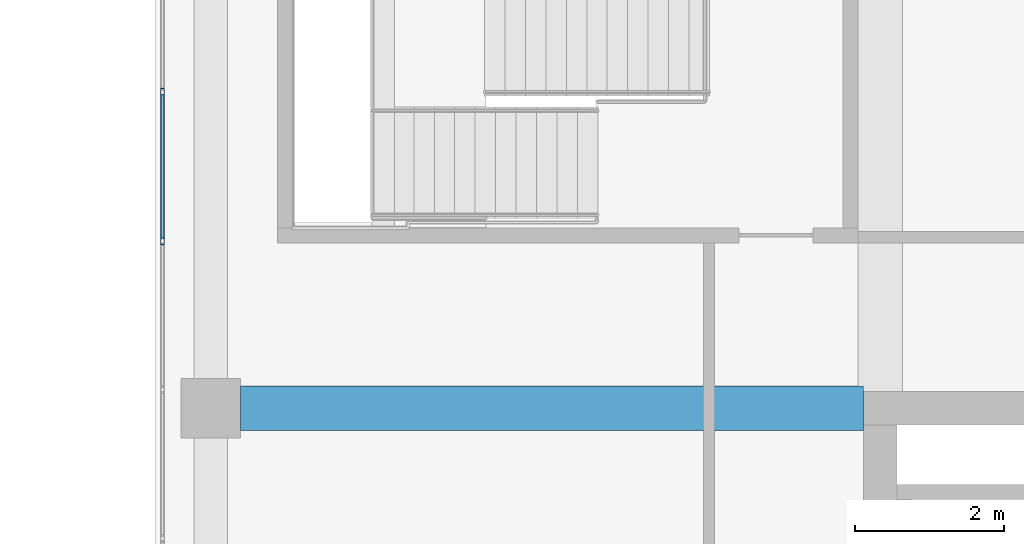
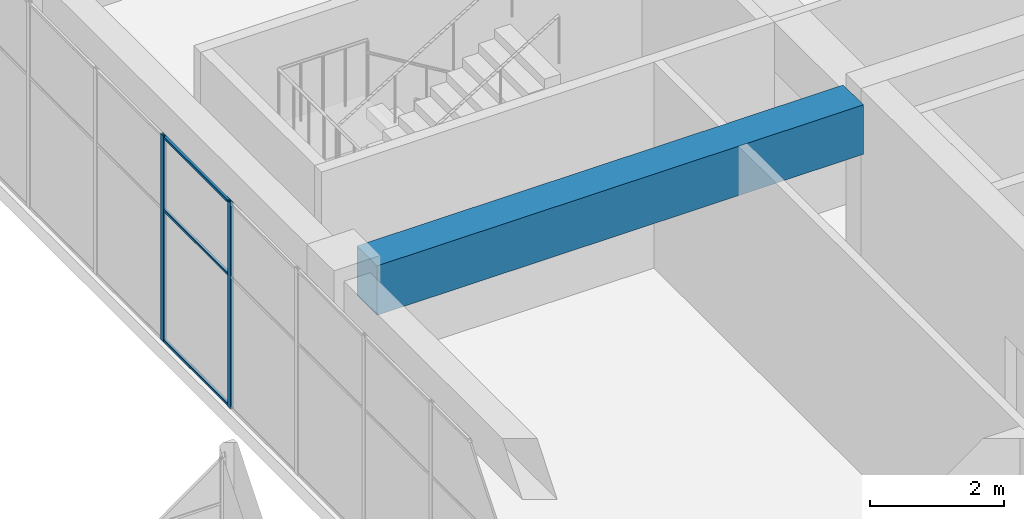
# One storey, part 29 of 66: 5 members, 1 beam, 1 element without a shape of its own.
"""IFC4 building model written with IfcOpenShell, lengths in metres."""

from ifc_helpers import new_model, si_unit, direction, frame, origin, origin_2d, place, context, subcontext, project, spatial, rectangle, hollow_rectangle, extrude, material, layer, layer_set, material_profile, profile_set, type_object, element, aggregate, save


model = new_model("IFC4")

# Units and contexts
model_context = context("Model", 3, precision=1e-05, world=origin(), true_north=direction((0.0, 1.0)))
body_context = subcontext(model_context, "Body", "Model", "MODEL_VIEW")
ifc_project = project(units=[si_unit("LENGTHUNIT", "METRE"), si_unit("AREAUNIT", "SQUARE_METRE"), si_unit("VOLUMEUNIT", "CUBIC_METRE"), si_unit("PLANEANGLEUNIT", "RADIAN"), si_unit("MASSUNIT", "GRAM", prefix="KILO")], contexts=[model_context])

# Site, building, storey
site_placement = place(None, origin())
site = spatial("IfcSite", under=ifc_project, at=site_placement, CompositionType="ELEMENT")
building_placement = place(site_placement, origin())
building = spatial("IfcBuilding", under=site, at=building_placement, Name="Tuart Plaza Theatre", CompositionType="ELEMENT")
storey_placement = place(building_placement, frame((0.0, 0.0, 5.5)))
storey = spatial("IfcBuildingStorey", under=building, at=storey_placement, Name="L01", CompositionType="ELEMENT", Elevation=5.5)

# Beam
ifc_material_1 = material(Name="Concrete N40 (40 MPa)", Category="concrete")
ifc_material_profile_1 = material_profile(ifc_material_1, rectangle(XDim=0.60009765625, YDim=0.89990234375, at=origin_2d()), Name="BEAM 600x900 Concrete N40 (40 MPa)")
ifc_profile_set_1 = profile_set([ifc_material_profile_1], Name="Concrete N40 (40 MPa)")
beam_type = type_object("IfcBeamType", Name="BEAM 600x900 Concrete N40 (40 MPa)", PredefinedType="BEAM", material=ifc_profile_set_1)
beam_placement = place(storey_placement, frame((114.39990234375, 83.0, 3.300048828125), z_axis=(1.0, 0.0, 0.0), x_axis=(0.0, 1.0, 0.0)))
element("IfcBeam", 1, at=beam_placement, inside=storey, type_object=beam_type, Name="RB169", PredefinedType="BEAM", context=body_context, shape_type="SweptSolid", body=[
    extrude(rectangle(XDim=0.60009765625, YDim=0.89990234375, at=origin_2d()), origin(), (0.0, 0.0, 1.0), 8.375),
])

# Curtain wall, members
ifc_material_2 = material(Name="Aluminium and glass", Category="aluminium")
ifc_layer = layer(ifc_material_2, 0.10009765625)
ifc_layer_set = layer_set([ifc_layer], Name="CURTAIN WALL 2000 module")
curtain_wall_type = type_object("IfcCurtainWallType", Name="CURTAIN WALL 2000 module", PredefinedType="NOTDEFINED", material=ifc_layer_set)
curtain_wall_placement = place(storey_placement, origin())
curtain_wall = element("IfcCurtainWall", 2, at=curtain_wall_placement, inside=storey, type_object=curtain_wall_type, Name="CW73", PredefinedType="NOTDEFINED")
ifc_material_3 = material(Name="Aluminium 6063-T5", Category="aluminium")
ifc_material_profile_2 = material_profile(ifc_material_3, hollow_rectangle(XDim=0.050048828125, YDim=0.10009765625, WallThickness=0.00390625, InnerFilletRadius=0.00390625, OuterFilletRadius=0.008056640625, at=origin_2d()), Name="RHS 100x50x4")
ifc_profile_set_2 = profile_set([ifc_material_profile_2], Name="Aluminium 6063-T5")
member_type_1 = type_object("IfcMemberType", Name="MULLION RHS 100x50x4", PredefinedType="MULLION", material=ifc_profile_set_2)
member_1_placement = place(storey_placement, frame((113.35009765625, 87.25, 0.0), z_axis=(0.0, 0.0, 1.0), x_axis=(1.0, 0.0, 0.0)))
member_1 = element("IfcMember", 3, at=member_1_placement, type_object=member_type_1, Name="CW73 mullion 6", PredefinedType="MULLION", context=body_context, shape_type="SweptSolid", body=[
    extrude(hollow_rectangle(XDim=0.050048828125, YDim=0.10009765625, WallThickness=0.00390625, InnerFilletRadius=0.00390625, OuterFilletRadius=0.008056640625, at=origin_2d()), origin(), (0.0, 0.0, 1.0), 3.75),
])
member_2_placement = place(storey_placement, frame((113.35009765625, 85.25, 0.0), z_axis=(0.0, 0.0, 1.0), x_axis=(1.0, 0.0, 0.0)))
member_2 = element("IfcMember", 4, at=member_2_placement, type_object=member_type_1, Name="CW73 mullion 7", PredefinedType="MULLION", context=body_context, shape_type="SweptSolid", body=[
    extrude(hollow_rectangle(XDim=0.050048828125, YDim=0.10009765625, WallThickness=0.00390625, InnerFilletRadius=0.00390625, OuterFilletRadius=0.008056640625, at=origin_2d()), origin(), (0.0, 0.0, 1.0), 3.75),
])
ifc_material_4 = material(Name="Aluminium 6063-T5", Category="aluminium")
ifc_material_profile_3 = material_profile(ifc_material_4, hollow_rectangle(XDim=0.050048828125, YDim=0.050048828125, WallThickness=0.00390625, InnerFilletRadius=0.00390625, OuterFilletRadius=0.008056640625, at=origin_2d()), Name="RHS 50x50x4")
ifc_profile_set_3 = profile_set([ifc_material_profile_3], Name="Aluminium 6063-T5")
member_type_2 = type_object("IfcMemberType", Name="TRANSOM RHS 50x50x4", PredefinedType="USERDEFINED", material=ifc_profile_set_3)
member_3_placement = place(storey_placement, frame((113.35009765625, 87.22509765625, 0.02490234375), z_axis=(0.0, -1.0, 0.0), x_axis=(1.0, 0.0, 0.0)))
member_3 = element("IfcMember", 5, at=member_3_placement, type_object=member_type_2, Name="CW73 transom 6.1", ObjectType="TRANSOM", PredefinedType="USERDEFINED", context=body_context, shape_type="SweptSolid", body=[
    extrude(hollow_rectangle(XDim=0.050048828125, YDim=0.050048828125, WallThickness=0.00390625, InnerFilletRadius=0.00390625, OuterFilletRadius=0.008056640625, at=origin_2d()), origin(), (0.0, 0.0, 1.0), 1.9501953125),
])
member_4_placement = place(storey_placement, frame((113.35009765625, 87.22509765625, 2.39990234375), z_axis=(0.0, -1.0, 0.0), x_axis=(1.0, 0.0, 0.0)))
member_4 = element("IfcMember", 6, at=member_4_placement, type_object=member_type_2, Name="CW73 transom 6.2", ObjectType="TRANSOM", PredefinedType="USERDEFINED", context=body_context, shape_type="SweptSolid", body=[
    extrude(hollow_rectangle(XDim=0.050048828125, YDim=0.050048828125, WallThickness=0.00390625, InnerFilletRadius=0.00390625, OuterFilletRadius=0.008056640625, at=origin_2d()), origin(), (0.0, 0.0, 1.0), 1.9501953125),
])
member_5_placement = place(storey_placement, frame((113.35009765625, 87.22509765625, 3.72509765625), z_axis=(0.0, -1.0, 0.0), x_axis=(1.0, 0.0, 0.0)))
member_5 = element("IfcMember", 7, at=member_5_placement, type_object=member_type_2, Name="CW73 transom 6.3", ObjectType="TRANSOM", PredefinedType="USERDEFINED", context=body_context, shape_type="SweptSolid", body=[
    extrude(hollow_rectangle(XDim=0.050048828125, YDim=0.050048828125, WallThickness=0.00390625, InnerFilletRadius=0.00390625, OuterFilletRadius=0.008056640625, at=origin_2d()), origin(), (0.0, 0.0, 1.0), 1.9501953125),
])
aggregate(curtain_wall, [member_1, member_2, member_3, member_4, member_5])

save(model, "model.ifc")
